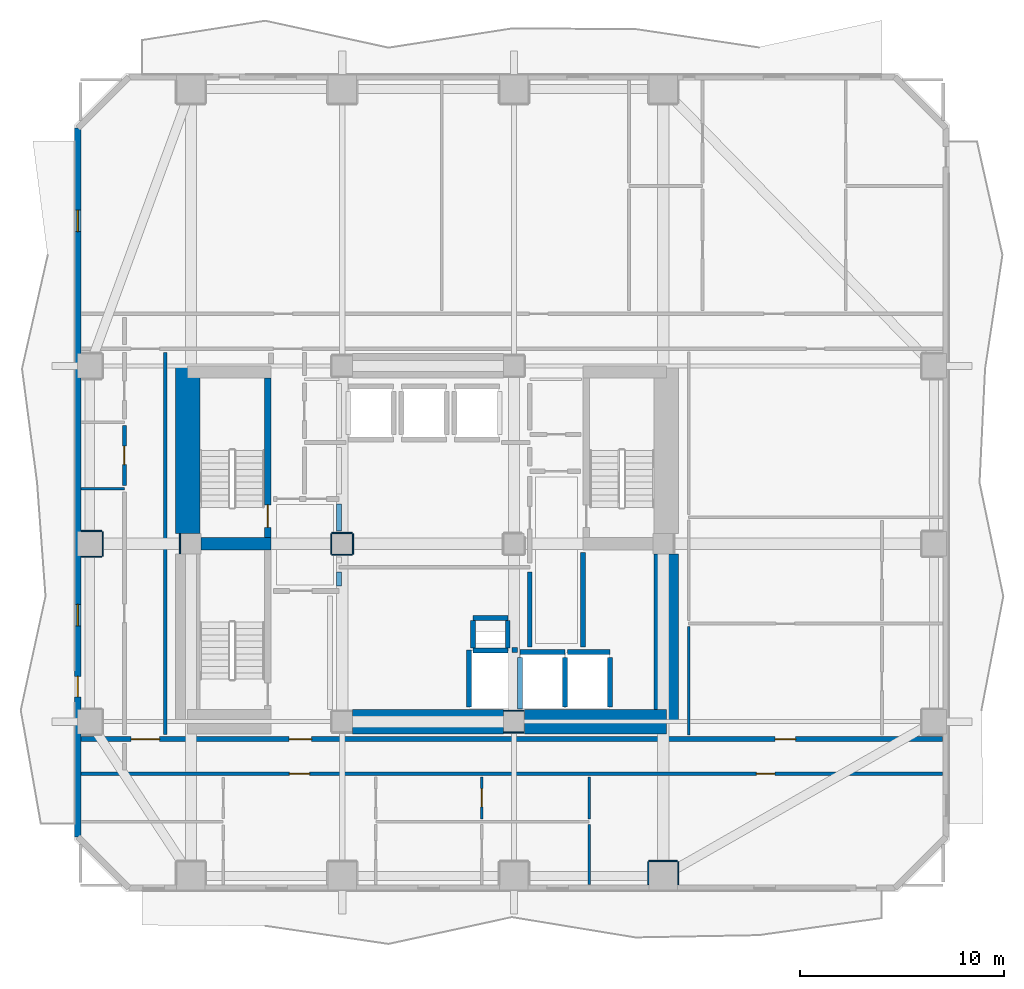
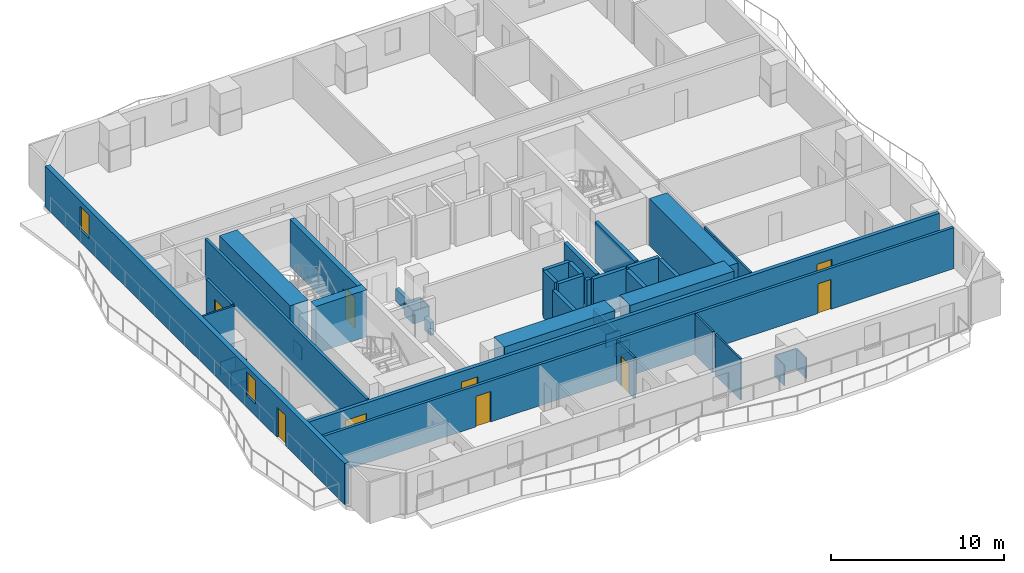
# One storey, part 3 of 10: 44 walls, 9 doors, 2 windows, 11 openings.
"""IFC4 building model written with IfcOpenShell, lengths in metres."""

from ifc_helpers import new_model, si_unit, direction, frame, frame_2d, origin, place, context, subcontext, project, spatial, rectangle, extrude, material, layer, layer_set, type_object, element, fill, save


model = new_model("IFC4")

# Units and contexts
model_context = context("Model", 3, precision=1e-05, world=origin(), true_north=direction((0.0, 1.0)))
body_context = subcontext(model_context, "Body", "Model", "MODEL_VIEW")
ifc_project = project(units=[si_unit("LENGTHUNIT", "METRE"), si_unit("AREAUNIT", "SQUARE_METRE"), si_unit("VOLUMEUNIT", "CUBIC_METRE"), si_unit("PLANEANGLEUNIT", "RADIAN"), si_unit("MASSUNIT", "GRAM", prefix="KILO")], contexts=[model_context])

# Site, building, storey
site_placement = place(None, origin())
site = spatial("IfcSite", under=ifc_project, at=site_placement, CompositionType="ELEMENT")
building_placement = place(site_placement, origin())
building = spatial("IfcBuilding", under=site, at=building_placement, Name="Solanera Arch Residences", CompositionType="ELEMENT")
storey_placement = place(building_placement, frame((0.0, 0.0, 78.43994140625)))
storey = spatial("IfcBuildingStorey", under=building, at=storey_placement, Name="L22", CompositionType="ELEMENT", Elevation=78.43994140625)

# Walls
ifc_material_1 = material(Name="Fire-Rated Gypsum Stud Partition", Category="gypsum")
ifc_layer_1 = layer(ifc_material_1, 0.06005859375)
ifc_layer_set_1 = layer_set([ifc_layer_1], Name="Fire-Rated Gypsum Stud Partition")
wall_type_1 = type_object("IfcWallType", Name="Column Acoustic Furring Wall 60", PredefinedType="PARTITIONING", material=ifc_layer_set_1)
for number, where, z_axis, x_axis, name in (
    (1, (28.7099609375, 21.468017578125, 0.0), (0.0, 0.0, 1.0), (1.0, 0.0, 0.0), "L22 Column Furring 2S"),
    (2, (28.7099609375, 22.531982421875, 0.0), (0.0, 0.0, 1.0), (1.0, 0.0, 0.0), "L22 Column Furring 2N"),
    (3, (12.867919921875, 30.2099609375, 0.0), (0.0, 0.0, 1.0), (0.0, 1.0, 0.0), "L22 Column Furring 5W"),
):
    element("IfcWall", number, at=place(storey_placement, frame(where, z_axis=z_axis, x_axis=x_axis)), inside=storey, type_object=wall_type_1, Name=name, PredefinedType="PARTITIONING", context=body_context, shape_type="SweptSolid", body=[
        extrude(rectangle(XDim=0.97998046875, YDim=0.06005859375, at=frame_2d((0.489990234375, 0.0))), origin(), (0.0, 0.0, 1.0), 0.905029296875),
    ])
for number, where, z_axis, x_axis, name in (
    (4, (20.300048828125, 30.16796875, 0.0), (0.0, 0.0, 1.0), (1.0, 0.0, 0.0), "L22 Column Furring 7S"),
    (5, (20.300048828125, 31.23193359375, 0.0), (0.0, 0.0, 1.0), (1.0, 0.0, 0.0), "L22 Column Furring 7N"),
    (6, (20.26806640625, 30.199951171875, 0.0), (0.0, 0.0, 1.0), (0.0, 1.0, 0.0), "L22 Column Furring 7W"),
    (7, (21.33203125, 30.199951171875, 0.0), (0.0, 0.0, 1.0), (0.0, 1.0, 0.0), "L22 Column Furring 7E"),
):
    element("IfcWall", number, at=place(storey_placement, frame(where, z_axis=z_axis, x_axis=x_axis)), inside=storey, type_object=wall_type_1, Name=name, PredefinedType="PARTITIONING", context=body_context, shape_type="SweptSolid", body=[
        extrude(rectangle(XDim=1.0, YDim=0.06005859375, at=frame_2d((0.5, 0.0))), origin(), (0.0, 0.0, 1.0), 0.905029296875),
    ])
wall_1_placement = place(storey_placement, frame((35.800048828125, 15.181884765625, 0.0), z_axis=(0.0, 0.0, 1.0), x_axis=(1.0, 0.0, 0.0)))
element("IfcWall", 8, at=wall_1_placement, inside=storey, type_object=wall_type_1, Name="L22 Column Furring 15N", PredefinedType="PARTITIONING", context=body_context, shape_type="SweptSolid", body=[
    extrude(rectangle(XDim=1.39990234375, YDim=0.06005859375, at=frame_2d((0.699951171875, 0.0))), origin(), (0.0, 0.0, 1.0), 1.449951171875),
])
for number, where, z_axis, x_axis, name in (
    (9, (35.76806640625, 14.030029296875, 0.0), (0.0, 0.0, 1.0), (0.0, 1.0, 0.0), "L22 Column Furring 15W"),
    (10, (37.23193359375, 14.030029296875, 0.0), (0.0, 0.0, 1.0), (0.0, 1.0, 0.0), "L22 Column Furring 15E"),
):
    element("IfcWall", number, at=place(storey_placement, frame(where, z_axis=z_axis, x_axis=x_axis)), inside=storey, type_object=wall_type_1, Name=name, PredefinedType="PARTITIONING", context=body_context, shape_type="SweptSolid", body=[
        extrude(rectangle(XDim=1.119873046875, YDim=0.06005859375, at=frame_2d((0.56005859375, 0.0))), origin(), (0.0, 0.0, 1.0), 1.449951171875),
    ])
for number, where, z_axis, x_axis, name in (
    (11, (8.030029296875, 30.068115234375, 0.0), (0.0, 0.0, 1.0), (1.0, 0.0, 0.0), "L22 Column Furring 19S"),
    (12, (8.030029296875, 31.33203125, 0.0), (0.0, 0.0, 1.0), (1.0, 0.0, 0.0), "L22 Column Furring 19N"),
):
    element("IfcWall", number, at=place(storey_placement, frame(where, z_axis=z_axis, x_axis=x_axis)), inside=storey, type_object=wall_type_1, Name=name, PredefinedType="PARTITIONING", context=body_context, shape_type="SweptSolid", body=[
        extrude(rectangle(XDim=1.02001953125, YDim=0.06005859375, at=frame_2d((0.510009765625, 0.0))), origin(), (0.0, 0.0, 1.0), 0.905029296875),
    ])
wall_2_placement = place(storey_placement, frame((9.08203125, 30.10009765625, 0.0), z_axis=(0.0, 0.0, 1.0), x_axis=(0.0, 1.0, 0.0)))
element("IfcWall", 13, at=wall_2_placement, inside=storey, type_object=wall_type_1, Name="L22 Column Furring 19E", PredefinedType="PARTITIONING", context=body_context, shape_type="SweptSolid", body=[
    extrude(rectangle(XDim=1.199951171875, YDim=0.06005859375, at=frame_2d((0.60009765625, 0.0))), origin(), (0.0, 0.0, 1.0), 1.449951171875),
])
ifc_material_2 = material(Name="Concrete C55/67 (f'c = 60 MPa)", Category="concrete")
ifc_layer_2 = layer(ifc_material_2, 1.199951171875)
ifc_layer_set_2 = layer_set([ifc_layer_2], Name="Concrete C55/67 (f'c = 60 MPa)")
wall_type_2 = type_object("IfcWallType", Name="Core Shear Wall CW-1200", PredefinedType="SHEAR", material=ifc_layer_set_2)
wall_3_placement = place(storey_placement, frame((13.239990234375, 31.205078125, 0.0), z_axis=(0.0, 0.0, 1.0), x_axis=(0.0, 1.0, 0.0)))
element("IfcWall", 14, at=wall_3_placement, inside=storey, type_object=wall_type_2, Name="L22 West Core North Shear Wall", PredefinedType="SHEAR", context=body_context, shape_type="SweptSolid", body=[
    extrude(rectangle(XDim=8.19482421875, YDim=1.199951171875, at=frame_2d((4.097412109375, 0.0))), origin(), (0.0, 0.0, 1.0), 3.320068359375),
])
wall_4_placement = place(storey_placement, frame((36.659912109375, 22.0, 0.0), z_axis=(0.0, 0.0, 1.0), x_axis=(0.0, 1.0, 0.0)))
element("IfcWall", 15, at=wall_4_placement, inside=storey, type_object=wall_type_2, Name="L22 East Core South Shear Wall", PredefinedType="SHEAR", context=body_context, shape_type="SweptSolid", body=[
    extrude(rectangle(XDim=8.195068359375, YDim=1.199951171875, at=frame_2d((4.09765625, 0.0))), origin(), (0.0, 0.0, 1.0), 3.320068359375),
])
wall_5_placement = place(storey_placement, frame((29.705078125, 22.0, 0.0), z_axis=(0.0, 0.0, 1.0), x_axis=(1.0, 0.0, 0.0)))
element("IfcWall", 16, at=wall_5_placement, inside=storey, type_object=wall_type_2, Name="L22 South-East Core Shear Wall", PredefinedType="SHEAR", context=body_context, shape_type="SweptSolid", body=[
    extrude(rectangle(XDim=6.954833984375, YDim=1.199951171875, at=frame_2d((3.4775390625, 0.0))), origin(), (0.0, 0.0, 1.0), 3.320068359375),
])
wall_6_placement = place(storey_placement, frame((21.304931640625, 22.0, 0.0), z_axis=(0.0, 0.0, 1.0), x_axis=(1.0, 0.0, 0.0)))
element("IfcWall", 17, at=wall_6_placement, inside=storey, type_object=wall_type_2, Name="L22 Central South Core Shear Wall", PredefinedType="SHEAR", context=body_context, shape_type="SweptSolid", body=[
    extrude(rectangle(XDim=7.39013671875, YDim=1.199951171875, at=frame_2d((3.695068359375, 0.0))), origin(), (0.0, 0.0, 1.0), 3.320068359375),
])

# Wall, opening, door
ifc_material_3 = material(Name="Concrete C40/50 (f'c = 45 MPa)", Category="concrete")
ifc_layer_3 = layer(ifc_material_3, 0.320068359375)
ifc_layer_set_3 = layer_set([ifc_layer_3], Name="Concrete C40/50 (f'c = 45 MPa)")
wall_type_3 = type_object("IfcWallType", Name="Core Shear Wall CW-320", PredefinedType="SHEAR", material=ifc_layer_set_3)
wall_7_placement = place(storey_placement, frame((17.159912109375, 31.0, 0.0), z_axis=(0.0, 0.0, 1.0), x_axis=(0.0, 1.0, 0.0)))
wall_7 = element("IfcWall", 18, at=wall_7_placement, inside=storey, type_object=wall_type_3, Name="L22 Stair ST-T1 East Shear Wall", PredefinedType="SHEAR", context=body_context, shape_type="SweptSolid", body=[
    extrude(rectangle(XDim=7.800048828125, YDim=0.320068359375, at=frame_2d((3.89990234375, 0.0))), origin(), (0.0, 0.0, 1.0), 3.320068359375),
])
opening_1_placement = place(wall_7_placement, frame((0.510009765625, 0.0, 0.0)))
opening_1 = element("IfcOpeningElement", 19, at=opening_1_placement, cuts=wall_7, Name="Opening DF-01", PredefinedType="OPENING", context=body_context, shape_type="SweptSolid", body=[
    extrude(rectangle(XDim=1.10009765625, YDim=2.14990234375, at=frame_2d((0.550048828125, 1.074951171875))), frame((0.0, 0.169921875, 0.0), z_axis=(0.0, -1.0, 0.0), x_axis=(1.0, 0.0, 0.0)), (0.0, 0.0, 1.0), 0.3401),
])
ifc_material_4 = material(Name="Fire-Rated Architectural Hardwood", Category="wood")
door_type_1 = type_object("IfcDoorType", Name="Stair Exit Fire Door DF-01", OperationType="NOTDEFINED", PredefinedType="DOOR", material=ifc_material_4)
door_1_placement = place(opening_1_placement, origin())
door_1 = element("IfcDoor", 20, at=door_1_placement, inside=storey, type_object=door_type_1, Name="DR-L22-STAIR-ST-T1", OperationType="SINGLE_SWING_LEFT", OverallHeight=2.14990234375, OverallWidth=1.10009765625, PredefinedType="DOOR", context=body_context, shape_type="SweptSolid", body=[
    extrude(rectangle(XDim=1.10009765625, YDim=2.14990234375, at=frame_2d((0.550048828125, 1.074951171875))), frame((0.0, 0.02490234375, 0.0), z_axis=(0.0, -1.0, 0.0), x_axis=(1.0, 0.0, 0.0)), (0.0, 0.0, 1.0), 0.050048828125),
])
fill(opening_1, door_1)

# Wall
ifc_material_5 = material(Name="Concrete C40/50 (f'c = 45 MPa)", Category="concrete")
ifc_layer_4 = layer(ifc_material_5, 0.60009765625)
ifc_layer_set_4 = layer_set([ifc_layer_4], Name="Concrete C40/50 (f'c = 45 MPa)")
wall_type_4 = type_object("IfcWallType", Name="Core Shear Wall CW-600", PredefinedType="SHEAR", material=ifc_layer_set_4)
wall_8_placement = place(storey_placement, frame((13.905029296875, 30.699951171875, 0.0), z_axis=(0.0, 0.0, 1.0), x_axis=(1.0, 0.0, 0.0)))
element("IfcWall", 21, at=wall_8_placement, inside=storey, type_object=wall_type_4, Name="L22 West Stair Divider Shear Wall", PredefinedType="SHEAR", context=body_context, shape_type="SweptSolid", body=[
    extrude(rectangle(XDim=3.4150390625, YDim=0.60009765625, at=frame_2d((1.70751953125, 0.0))), origin(), (0.0, 0.0, 1.0), 3.320068359375),
])

# Wall, openings, doors
ifc_material_6 = material(Name="Autoclaved Aerated Concrete Blockwork", Category="masonry")
ifc_layer_5 = layer(ifc_material_6, 0.179931640625)
ifc_layer_set_5 = layer_set([ifc_layer_5], Name="Autoclaved Aerated Concrete Blockwork")
wall_type_5 = type_object("IfcWallType", Name="Corridor Fire Partition 180", PredefinedType="PARTITIONING", material=ifc_layer_set_5)
wall_9_placement = place(storey_placement, frame((8.027099609375, 19.449951171875, 0.0), z_axis=(0.0, 0.0, 1.0), x_axis=(1.0, 0.0, 0.0)))
wall_9 = element("IfcWall", 22, at=wall_9_placement, inside=storey, type_object=wall_type_5, Name="L22 Interior Partition H7", PredefinedType="PARTITIONING", context=body_context, shape_type="SweptSolid", body=[
    extrude(rectangle(XDim=42.14599609375, YDim=0.179931640625, at=frame_2d((21.072998046875, 0.0))), origin(), (0.0, 0.0, 1.0), 2.900146484375),
])
opening_2_placement = place(wall_9_placement, frame((10.18505859375, 0.0, 0.0)))
opening_2 = element("IfcOpeningElement", 23, at=opening_2_placement, cuts=wall_9, Name="Opening DI-01", PredefinedType="OPENING", context=body_context, shape_type="SweptSolid", body=[
    extrude(rectangle(XDim=1.0, YDim=2.14990234375, at=frame_2d((0.5, 1.074951171875))), frame((0.0, 0.10009765625, 0.0), z_axis=(0.0, -1.0, 0.0), x_axis=(1.0, 0.0, 0.0)), (0.0, 0.0, 1.0), 0.1999),
])
opening_3_placement = place(wall_9_placement, frame((33.0380859375, 0.0, 0.0)))
opening_3 = element("IfcOpeningElement", 24, at=opening_3_placement, cuts=wall_9, Name="Opening DI-02", PredefinedType="OPENING", context=body_context, shape_type="SweptSolid", body=[
    extrude(rectangle(XDim=0.89990234375, YDim=2.10009765625, at=frame_2d((0.449951171875, 1.050048828125))), frame((0.0, 0.10009765625, 0.0), z_axis=(0.0, -1.0, 0.0), x_axis=(1.0, 0.0, 0.0)), (0.0, 0.0, 1.0), 0.1999),
])
ifc_material_7 = material(Name="Fire-Rated Architectural Hardwood", Category="wood")
door_type_2 = type_object("IfcDoorType", Name="Suite Room Swing Door DI-02", OperationType="NOTDEFINED", PredefinedType="DOOR", material=ifc_material_7)
door_2_placement = place(opening_3_placement, origin())
door_2 = element("IfcDoor", 25, at=door_2_placement, inside=storey, type_object=door_type_2, Name="DR-L22-IN-022", OperationType="SINGLE_SWING_RIGHT", OverallHeight=2.10009765625, OverallWidth=0.89990234375, PredefinedType="DOOR", context=body_context, shape_type="SweptSolid", body=[
    extrude(rectangle(XDim=0.89990234375, YDim=2.10009765625, at=frame_2d((0.449951171875, 1.050048828125))), frame((0.0, 0.02490234375, 0.0), z_axis=(0.0, -1.0, 0.0), x_axis=(1.0, 0.0, 0.0)), (0.0, 0.0, 1.0), 0.050048828125),
])
fill(opening_3, door_2)
ifc_material_8 = material(Name="Fire-Rated Architectural Hardwood", Category="wood")
door_type_3 = type_object("IfcDoorType", Name="Unit Entrance Fire Door DI-01", OperationType="NOTDEFINED", PredefinedType="DOOR", material=ifc_material_8)
door_3_placement = place(opening_2_placement, origin())
door_3 = element("IfcDoor", 26, at=door_3_placement, inside=storey, type_object=door_type_3, Name="DR-L22-IN-015", OperationType="SINGLE_SWING_LEFT", OverallHeight=2.14990234375, OverallWidth=1.0, PredefinedType="DOOR", context=body_context, shape_type="SweptSolid", body=[
    extrude(rectangle(XDim=1.0, YDim=2.14990234375, at=frame_2d((0.5, 1.074951171875))), frame((0.0, 0.02490234375, 0.0), z_axis=(0.0, -1.0, 0.0), x_axis=(1.0, 0.0, 0.0)), (0.0, 0.0, 1.0), 0.050048828125),
])
fill(opening_2, door_3)

# Wall, opening, door
wall_10_placement = place(storey_placement, frame((10.14990234375, 33.55810546875, 0.0), z_axis=(0.0, 0.0, 1.0), x_axis=(0.0, 1.0, 0.0)))
wall_10 = element("IfcWall", 27, at=wall_10_placement, inside=storey, type_object=wall_type_5, Name="L22 Interior Partition V7 3", PredefinedType="PARTITIONING", context=body_context, shape_type="SweptSolid", body=[
    extrude(rectangle(XDim=2.923828125, YDim=0.179931640625, at=frame_2d((1.4619140625, 0.0))), origin(), (0.0, 0.0, 1.0), 2.900146484375),
])
opening_4_placement = place(wall_10_placement, frame((1.01708984375, 0.0, 0.0)))
opening_4 = element("IfcOpeningElement", 28, at=opening_4_placement, cuts=wall_10, Name="Opening DI-02", PredefinedType="OPENING", context=body_context, shape_type="SweptSolid", body=[
    extrude(rectangle(XDim=0.89990234375, YDim=2.10009765625, at=frame_2d((0.449951171875, 1.050048828125))), frame((0.0, 0.10009765625, 0.0), z_axis=(0.0, -1.0, 0.0), x_axis=(1.0, 0.0, 0.0)), (0.0, 0.0, 1.0), 0.1999),
])
door_4_placement = place(opening_4_placement, origin())
door_4 = element("IfcDoor", 29, at=door_4_placement, inside=storey, type_object=door_type_2, Name="DR-L22-IN-031", OperationType="SINGLE_SWING_LEFT", OverallHeight=2.10009765625, OverallWidth=0.89990234375, PredefinedType="DOOR", context=body_context, shape_type="SweptSolid", body=[
    extrude(rectangle(XDim=0.89990234375, YDim=2.10009765625, at=frame_2d((0.449951171875, 1.050048828125))), frame((0.0, 0.02490234375, 0.0), z_axis=(0.0, -1.0, 0.0), x_axis=(1.0, 0.0, 0.0)), (0.0, 0.0, 1.0), 0.050048828125),
])
fill(opening_4, door_4)

# Wall
wall_11_placement = place(storey_placement, frame((12.14990234375, 21.367919921875, 0.0), z_axis=(0.0, 0.0, 1.0), x_axis=(0.0, 1.0, 0.0)))
element("IfcWall", 30, at=wall_11_placement, inside=storey, type_object=wall_type_5, Name="L22 Interior Partition V8", PredefinedType="PARTITIONING", context=body_context, shape_type="SweptSolid", body=[
    extrude(rectangle(XDim=18.694091796875, YDim=0.179931640625, at=frame_2d((9.34716796875, 0.0))), origin(), (0.0, 0.0, 1.0), 2.900146484375),
])

# Wall, openings, door, windows
ifc_material_9 = material(Name="Precast Concrete C35/45", Category="concrete")
ifc_layer_6 = layer(ifc_material_9, 0.300048828125)
ifc_layer_set_6 = layer_set([ifc_layer_6], Name="Precast Concrete C35/45")
wall_type_6 = type_object("IfcWallType", Name="Exterior Wall Precast Masonry-Frame 300", PredefinedType="STANDARD", material=ifc_layer_set_6)
wall_12_placement = place(storey_placement, frame((7.864990234375, 16.364990234375, 0.0), z_axis=(0.0, 0.0, 1.0), x_axis=(0.0, 1.0, 0.0)))
wall_12 = element("IfcWall", 31, at=wall_12_placement, inside=storey, type_object=wall_type_6, Name="L22 Tower Exterior Precast Masonry-Frame Wall W", PredefinedType="STANDARD", context=body_context, shape_type="SweptSolid", body=[
    extrude(rectangle(XDim=34.669921875, YDim=0.300048828125, at=frame_2d((17.3349609375, 0.0))), origin(), (0.0, 0.0, 1.0), 2.900146484375),
])
opening_5_placement = place(wall_12_placement, frame((6.85400390625, 0.0, 0.0)))
opening_5 = element("IfcOpeningElement", 32, at=opening_5_placement, cuts=wall_12, Name="Opening DB-01", PredefinedType="OPENING", context=body_context, shape_type="SweptSolid", body=[
    extrude(rectangle(XDim=1.0, YDim=2.14990234375, at=frame_2d((0.5, 1.074951171875))), frame((0.0, 0.159912109375, 0.0), z_axis=(0.0, -1.0, 0.0), x_axis=(1.0, 0.0, 0.0)), (0.0, 0.0, 1.0), 0.32),
])
opening_6_placement = place(wall_12_placement, frame((29.60791015625, 0.0, 0.85009765625)))
opening_6 = element("IfcOpeningElement", 33, at=opening_6_placement, cuts=wall_12, Name="Opening W-07", PredefinedType="OPENING", context=body_context, shape_type="SweptSolid", body=[
    extrude(rectangle(XDim=1.050048828125, YDim=1.64990234375, at=frame_2d((0.52490234375, 0.824951171875))), frame((0.0, 0.159912109375, 0.0), z_axis=(0.0, -1.0, 0.0), x_axis=(1.0, 0.0, 0.0)), (0.0, 0.0, 1.0), 0.32),
])
opening_7_placement = place(wall_12_placement, frame((10.324951171875, 0.0, 0.85009765625)))
opening_7 = element("IfcOpeningElement", 34, at=opening_7_placement, cuts=wall_12, Name="Opening W-07", PredefinedType="OPENING", context=body_context, shape_type="SweptSolid", body=[
    extrude(rectangle(XDim=1.050048828125, YDim=1.64990234375, at=frame_2d((0.52490234375, 0.824951171875))), frame((0.0, 0.159912109375, 0.0), z_axis=(0.0, -1.0, 0.0), x_axis=(1.0, 0.0, 0.0)), (0.0, 0.0, 1.0), 0.32),
])
ifc_material_10 = material(Name="Anodised Aluminium Alloy 6063-T6", Category="aluminium")
door_type_4 = type_object("IfcDoorType", Name="Glazed Balcony Swing Door DB-01", OperationType="NOTDEFINED", PredefinedType="DOOR", material=ifc_material_10)
door_5_placement = place(opening_5_placement, origin())
door_5 = element("IfcDoor", 35, at=door_5_placement, inside=storey, type_object=door_type_4, Name="DR-L22-OUT-04", OperationType="SINGLE_SWING_LEFT", OverallHeight=2.14990234375, OverallWidth=1.0, PredefinedType="DOOR", context=body_context, shape_type="SweptSolid", body=[
    extrude(rectangle(XDim=1.0, YDim=2.14990234375, at=frame_2d((0.5, 1.074951171875))), frame((0.0, 0.02490234375, 0.0), z_axis=(0.0, -1.0, 0.0), x_axis=(1.0, 0.0, 0.0)), (0.0, 0.0, 1.0), 0.050048828125),
])
fill(opening_5, door_5)
ifc_material_11 = material(Name="Double Glazed Low-E Laminated Glass", Category="glass")
window_type = type_object("IfcWindowType", Name="Punched Window W-07", PartitioningType="SINGLE_PANEL", PredefinedType="WINDOW", material=ifc_material_11)
window_1_placement = place(opening_6_placement, origin())
window_1 = element("IfcWindow", 36, at=window_1_placement, inside=storey, type_object=window_type, Name="L22 AMN-MTG1 Punched Window", OverallHeight=1.64990234375, OverallWidth=1.050048828125, PartitioningType="SINGLE_PANEL", PredefinedType="WINDOW", context=body_context, shape_type="SweptSolid", body=[
    extrude(rectangle(XDim=1.050048828125, YDim=1.64990234375, at=frame_2d((0.52490234375, 0.824951171875))), frame((0.0, 0.030029296875, 0.0), z_axis=(0.0, -1.0, 0.0), x_axis=(1.0, 0.0, 0.0)), (0.0, 0.0, 1.0), 0.06005859375),
])
fill(opening_6, window_1)
window_2_placement = place(opening_7_placement, origin())
window_2 = element("IfcWindow", 37, at=window_2_placement, inside=storey, type_object=window_type, Name="L22 AMN-FIT Punched Window", OverallHeight=1.64990234375, OverallWidth=1.050048828125, PartitioningType="SINGLE_PANEL", PredefinedType="WINDOW", context=body_context, shape_type="SweptSolid", body=[
    extrude(rectangle(XDim=1.050048828125, YDim=1.64990234375, at=frame_2d((0.52490234375, 0.824951171875))), frame((0.0, 0.030029296875, 0.0), z_axis=(0.0, -1.0, 0.0), x_axis=(1.0, 0.0, 0.0)), (0.0, 0.0, 1.0), 0.06005859375),
])
fill(opening_7, window_2)

# Walls
ifc_material_12 = material(Name="Concrete C40/50 (f'c = 45 MPa)", Category="concrete")
ifc_layer_7 = layer(ifc_material_12, 0.239990234375)
ifc_layer_set_7 = layer_set([ifc_layer_7], Name="Concrete C40/50 (f'c = 45 MPa)")
wall_type_7 = type_object("IfcWallType", Name="Ramp Bearing Shear Wall RW-240", PredefinedType="SHEAR", material=ifc_layer_set_7)
for number, where, z_axis, x_axis, name in (
    (38, (27.199951171875, 25.47998046875, 0.0), (0.0, 0.0, 1.0), (1.0, 0.0, 0.0), "L22 Core MEP Riser South Shaft Wall"),
    (39, (27.199951171875, 27.080078125, 0.0), (0.0, 0.0, 1.0), (1.0, 0.0, 0.0), "L22 Core MEP Riser North Shaft Wall"),
):
    element("IfcWall", number, at=place(storey_placement, frame(where, z_axis=z_axis, x_axis=x_axis)), inside=storey, type_object=wall_type_7, Name=name, PredefinedType="SHEAR", context=body_context, shape_type="SweptSolid", body=[
        extrude(rectangle(XDim=1.699951171875, YDim=0.239990234375, at=frame_2d((0.85009765625, 0.0))), origin(), (0.0, 0.0, 1.0), 3.320068359375),
    ])
for number, where, z_axis, x_axis, name in (
    (40, (27.199951171875, 25.60009765625, 0.0), (0.0, 0.0, 1.0), (0.0, 1.0, 0.0), "L22 Core MEP Riser West Shaft Wall"),
    (41, (28.89990234375, 25.60009765625, 0.0), (0.0, 0.0, 1.0), (0.0, 1.0, 0.0), "L22 Core MEP Riser East Shaft Wall"),
):
    element("IfcWall", number, at=place(storey_placement, frame(where, z_axis=z_axis, x_axis=x_axis)), inside=storey, type_object=wall_type_7, Name=name, PredefinedType="SHEAR", context=body_context, shape_type="SweptSolid", body=[
        extrude(rectangle(XDim=1.35986328125, YDim=0.239990234375, at=frame_2d((0.679931640625, 0.0))), origin(), (0.0, 0.0, 1.0), 3.320068359375),
    ])
ifc_material_13 = material(Name="Autoclaved Aerated Concrete Blockwork", Category="masonry")
ifc_layer_8 = layer(ifc_material_13, 0.239990234375)
ifc_layer_set_8 = layer_set([ifc_layer_8], Name="Autoclaved Aerated Concrete Blockwork")
wall_type_8 = type_object("IfcWallType", Name="Shaft Wall Fire-Rated 240", PredefinedType="PARTITIONING", material=ifc_layer_set_8)
wall_13_placement = place(storey_placement, frame((29.5, 25.39990234375, 0.0), z_axis=(0.0, 0.0, 1.0), x_axis=(1.0, 0.0, 0.0)))
element("IfcWall", 42, at=wall_13_placement, inside=storey, type_object=wall_type_8, Name="L22 Lift FFL-1 Hoistway Wall N", PredefinedType="PARTITIONING", context=body_context, shape_type="SweptSolid", body=[
    extrude(rectangle(XDim=2.199951171875, YDim=0.239990234375, at=frame_2d((1.10009765625, 0.0))), origin(), (0.0, 0.0, 1.0), 2.900146484375),
])
wall_14_placement = place(storey_placement, frame((29.5, 22.632080078125, 0.0), z_axis=(0.0, 0.0, 1.0), x_axis=(0.0, 1.0, 0.0)))
element("IfcWall", 43, at=wall_14_placement, inside=storey, type_object=wall_type_8, Name="L22 Lift FFL-1 Hoistway Wall W", PredefinedType="PARTITIONING", context=body_context, shape_type="SweptSolid", body=[
    extrude(rectangle(XDim=2.52001953125, YDim=0.239990234375, at=frame_2d((1.260009765625, 0.0))), origin(), (0.0, 0.0, 1.0), 0.905029296875),
])
wall_15_placement = place(storey_placement, frame((31.699951171875, 22.72998046875, 0.0), z_axis=(0.0, 0.0, 1.0), x_axis=(0.0, 1.0, 0.0)))
element("IfcWall", 44, at=wall_15_placement, inside=storey, type_object=wall_type_8, Name="L22 Lift FFL-1 Hoistway Wall E", PredefinedType="PARTITIONING", context=body_context, shape_type="SweptSolid", body=[
    extrude(rectangle(XDim=2.422119140625, YDim=0.239990234375, at=frame_2d((1.2109375, 0.0))), origin(), (0.0, 0.0, 1.0), 2.900146484375),
])
wall_16_placement = place(storey_placement, frame((31.827880859375, 25.39990234375, 0.0), z_axis=(0.0, 0.0, 1.0), x_axis=(1.0, 0.0, 0.0)))
element("IfcWall", 45, at=wall_16_placement, inside=storey, type_object=wall_type_8, Name="L22 Lift FFL-2 Hoistway Wall N", PredefinedType="PARTITIONING", context=body_context, shape_type="SweptSolid", body=[
    extrude(rectangle(XDim=2.072021484375, YDim=0.239990234375, at=frame_2d((1.0361328125, 0.0))), origin(), (0.0, 0.0, 1.0), 2.900146484375),
])
wall_17_placement = place(storey_placement, frame((33.89990234375, 22.72998046875, 0.0), z_axis=(0.0, 0.0, 1.0), x_axis=(0.0, 1.0, 0.0)))
element("IfcWall", 46, at=wall_17_placement, inside=storey, type_object=wall_type_8, Name="L22 Lift FFL-2 Hoistway Wall E", PredefinedType="PARTITIONING", context=body_context, shape_type="SweptSolid", body=[
    extrude(rectangle(XDim=2.422119140625, YDim=0.239990234375, at=frame_2d((1.2109375, 0.0))), origin(), (0.0, 0.0, 1.0), 2.900146484375),
])
wall_18_placement = place(storey_placement, frame((29.10302734375, 25.5, 0.0), z_axis=(0.0, 0.0, 1.0), x_axis=(1.0, 0.0, 0.0)))
element("IfcWall", 47, at=wall_18_placement, inside=storey, type_object=wall_type_8, Name="L22 Lift SVL-1 Hoistway Wall N", PredefinedType="PARTITIONING", context=body_context, shape_type="SweptSolid", body=[
    extrude(rectangle(XDim=0.26904296875, YDim=0.239990234375, at=frame_2d((0.134521484375, 0.0))), origin(), (0.0, 0.0, 1.0), 2.900146484375),
])
wall_19_placement = place(storey_placement, frame((27.0, 22.72998046875, 0.0), z_axis=(0.0, 0.0, 1.0), x_axis=(0.0, 1.0, 0.0)))
element("IfcWall", 48, at=wall_19_placement, inside=storey, type_object=wall_type_8, Name="L22 Lift SVL-1 Hoistway Wall W", PredefinedType="PARTITIONING", context=body_context, shape_type="SweptSolid", body=[
    extrude(rectangle(XDim=2.76806640625, YDim=0.239990234375, at=frame_2d((1.384033203125, 0.0))), origin(), (0.0, 0.0, 1.0), 2.900146484375),
])

# Wall, openings, doors
wall_20_placement = place(storey_placement, frame((8.027099609375, 21.14990234375, 0.0), z_axis=(0.0, 0.0, 1.0), x_axis=(1.0, 0.0, 0.0)))
wall_20 = element("IfcWall", 49, at=wall_20_placement, inside=storey, type_object=wall_type_8, Name="L22 Interior Partition H1", PredefinedType="PARTITIONING", context=body_context, shape_type="SweptSolid", body=[
    extrude(rectangle(XDim=42.14599609375, YDim=0.239990234375, at=frame_2d((21.072998046875, 0.0))), origin(), (0.0, 0.0, 1.0), 2.900146484375),
])
opening_8_placement = place(wall_20_placement, frame((10.18310546875, 0.0, 0.0)))
opening_8 = element("IfcOpeningElement", 50, at=opening_8_placement, cuts=wall_20, Name="Opening DF-02", PredefinedType="OPENING", context=body_context, shape_type="SweptSolid", body=[
    extrude(rectangle(XDim=1.10009765625, YDim=2.14990234375, at=frame_2d((0.550048828125, 1.074951171875))), frame((0.0, 0.1298828125, 0.0), z_axis=(0.0, -1.0, 0.0), x_axis=(1.0, 0.0, 0.0)), (0.0, 0.0, 1.0), 0.26),
])
opening_9_placement = place(wall_20_placement, frame((2.447021484375, 0.0, 0.0)))
opening_9 = element("IfcOpeningElement", 51, at=opening_9_placement, cuts=wall_20, Name="Opening DF-03", PredefinedType="OPENING", context=body_context, shape_type="SweptSolid", body=[
    extrude(rectangle(XDim=1.39990234375, YDim=2.14990234375, at=frame_2d((0.699951171875, 1.074951171875))), frame((0.0, 0.1298828125, 0.0), z_axis=(0.0, -1.0, 0.0), x_axis=(1.0, 0.0, 0.0)), (0.0, 0.0, 1.0), 0.26),
])
opening_10_placement = place(wall_20_placement, frame((33.947998046875, 0.0, 0.0)))
opening_10 = element("IfcOpeningElement", 52, at=opening_10_placement, cuts=wall_20, Name="Opening DI-01", PredefinedType="OPENING", context=body_context, shape_type="SweptSolid", body=[
    extrude(rectangle(XDim=1.0, YDim=2.14990234375, at=frame_2d((0.5, 1.074951171875))), frame((0.0, 0.1298828125, 0.0), z_axis=(0.0, -1.0, 0.0), x_axis=(1.0, 0.0, 0.0)), (0.0, 0.0, 1.0), 0.26),
])
ifc_material_14 = material(Name="Fire-Rated Architectural Hardwood", Category="wood")
door_type_5 = type_object("IfcDoorType", Name="Corridor Smoke Door DF-03", OperationType="NOTDEFINED", PredefinedType="DOOR", material=ifc_material_14)
door_6_placement = place(opening_9_placement, origin())
door_6 = element("IfcDoor", 53, at=door_6_placement, inside=storey, type_object=door_type_5, Name="DR-L22-IN-010", OperationType="SINGLE_SWING_RIGHT", OverallHeight=2.14990234375, OverallWidth=1.39990234375, PredefinedType="DOOR", context=body_context, shape_type="SweptSolid", body=[
    extrude(rectangle(XDim=1.39990234375, YDim=2.14990234375, at=frame_2d((0.699951171875, 1.074951171875))), frame((0.0, 0.02490234375, 0.0), z_axis=(0.0, -1.0, 0.0), x_axis=(1.0, 0.0, 0.0)), (0.0, 0.0, 1.0), 0.050048828125),
])
fill(opening_9, door_6)
ifc_material_15 = material(Name="Fire-Rated Architectural Hardwood", Category="wood")
door_type_6 = type_object("IfcDoorType", Name="Firefighting Lobby Fire Door DF-02", OperationType="NOTDEFINED", PredefinedType="DOOR", material=ifc_material_15)
door_7_placement = place(opening_8_placement, origin())
door_7 = element("IfcDoor", 54, at=door_7_placement, inside=storey, type_object=door_type_6, Name="DR-L22-IN-008", OperationType="SINGLE_SWING_RIGHT", OverallHeight=2.14990234375, OverallWidth=1.10009765625, PredefinedType="DOOR", context=body_context, shape_type="SweptSolid", body=[
    extrude(rectangle(XDim=1.10009765625, YDim=2.14990234375, at=frame_2d((0.550048828125, 1.074951171875))), frame((0.0, 0.02490234375, 0.0), z_axis=(0.0, -1.0, 0.0), x_axis=(1.0, 0.0, 0.0)), (0.0, 0.0, 1.0), 0.050048828125),
])
fill(opening_8, door_7)
door_8_placement = place(opening_10_placement, origin())
door_8 = element("IfcDoor", 55, at=door_8_placement, inside=storey, type_object=door_type_3, Name="DR-L22-IN-033", OperationType="SINGLE_SWING_LEFT", OverallHeight=2.14990234375, OverallWidth=1.0, PredefinedType="DOOR", context=body_context, shape_type="SweptSolid", body=[
    extrude(rectangle(XDim=1.0, YDim=2.14990234375, at=frame_2d((0.5, 1.074951171875))), frame((0.0, 0.02490234375, 0.0), z_axis=(0.0, -1.0, 0.0), x_axis=(1.0, 0.0, 0.0)), (0.0, 0.0, 1.0), 0.050048828125),
])
fill(opening_10, door_8)

# Walls
wall_21_placement = place(storey_placement, frame((20.64990234375, 28.64794921875, 0.0), z_axis=(0.0, 0.0, 1.0), x_axis=(0.0, 1.0, 0.0)))
element("IfcWall", 56, at=wall_21_placement, inside=storey, type_object=wall_type_8, Name="L22 Interior Partition V3 1", PredefinedType="PARTITIONING", context=body_context, shape_type="SweptSolid", body=[
    extrude(rectangle(XDim=0.68408203125, YDim=0.239990234375, at=frame_2d((0.342041015625, 0.0))), origin(), (0.0, 0.0, 1.0), 0.905029296875),
])
wall_22_placement = place(storey_placement, frame((20.64990234375, 31.33203125, 0.0), z_axis=(0.0, 0.0, 1.0), x_axis=(0.0, 1.0, 0.0)))
element("IfcWall", 57, at=wall_22_placement, inside=storey, type_object=wall_type_8, Name="L22 Interior Partition V3 3", PredefinedType="PARTITIONING", context=body_context, shape_type="SweptSolid", body=[
    extrude(rectangle(XDim=1.320068359375, YDim=0.239990234375, at=frame_2d((0.66015625, 0.0))), origin(), (0.0, 0.0, 1.0), 0.905029296875),
])
wall_23_placement = place(storey_placement, frame((29.97509765625, 25.64794921875, 0.0), z_axis=(0.0, 0.0, 1.0), x_axis=(0.0, 1.0, 0.0)))
element("IfcWall", 58, at=wall_23_placement, inside=storey, type_object=wall_type_8, Name="L22 Interior Partition V4 1", PredefinedType="PARTITIONING", context=body_context, shape_type="SweptSolid", body=[
    extrude(rectangle(XDim=3.68408203125, YDim=0.239990234375, at=frame_2d((1.842041015625, 0.0))), origin(), (0.0, 0.0, 1.0), 2.900146484375),
])
wall_24_placement = place(storey_placement, frame((32.580078125, 25.64794921875, 0.0), z_axis=(0.0, 0.0, 1.0), x_axis=(0.0, 1.0, 0.0)))
element("IfcWall", 59, at=wall_24_placement, inside=storey, type_object=wall_type_8, Name="L22 Interior Partition V5", PredefinedType="PARTITIONING", context=body_context, shape_type="SweptSolid", body=[
    extrude(rectangle(XDim=4.6220703125, YDim=0.239990234375, at=frame_2d((2.31103515625, 0.0))), origin(), (0.0, 0.0, 1.0), 2.900146484375),
])
ifc_material_16 = material(Name="Fire-Rated Gypsum Stud Partition", Category="gypsum")
ifc_layer_9 = layer(ifc_material_16, 0.1201171875)
ifc_layer_set_9 = layer_set([ifc_layer_9], Name="Fire-Rated Gypsum Stud Partition")
wall_type_9 = type_object("IfcWallType", Name="Unit Drywall Partition 120", PredefinedType="PARTITIONING", material=ifc_layer_set_9)
wall_25_placement = place(storey_placement, frame((8.027099609375, 33.39990234375, 0.0), z_axis=(0.0, 0.0, 1.0), x_axis=(1.0, 0.0, 0.0)))
element("IfcWall", 60, at=wall_25_placement, inside=storey, type_object=wall_type_9, Name="L22 Interior Partition H22", PredefinedType="PARTITIONING", context=body_context, shape_type="SweptSolid", body=[
    extrude(rectangle(XDim=2.122802734375, YDim=0.1201171875, at=frame_2d((1.0615234375, 0.0))), origin(), (0.0, 0.0, 1.0), 2.900146484375),
])

# Wall, opening, door
wall_26_placement = place(storey_placement, frame((27.6201171875, 17.2451171875, 0.0), z_axis=(0.0, 0.0, 1.0), x_axis=(0.0, 1.0, 0.0)))
wall_26 = element("IfcWall", 61, at=wall_26_placement, inside=storey, type_object=wall_type_9, Name="L22 Interior Partition V19 2", PredefinedType="PARTITIONING", context=body_context, shape_type="SweptSolid", body=[
    extrude(rectangle(XDim=2.046875, YDim=0.1201171875, at=frame_2d((1.0234375, 0.0))), origin(), (0.0, 0.0, 1.0), 2.900146484375),
])
opening_11_placement = place(wall_26_placement, frame((0.5830078125, 0.0, 0.0)))
opening_11 = element("IfcOpeningElement", 62, at=opening_11_placement, cuts=wall_26, Name="Opening DI-02", PredefinedType="OPENING", context=body_context, shape_type="SweptSolid", body=[
    extrude(rectangle(XDim=0.89990234375, YDim=2.10009765625, at=frame_2d((0.449951171875, 1.050048828125))), frame((0.0, 0.070068359375, 0.0), z_axis=(0.0, -1.0, 0.0), x_axis=(1.0, 0.0, 0.0)), (0.0, 0.0, 1.0), 0.1401),
])
door_9_placement = place(opening_11_placement, origin())
door_9 = element("IfcDoor", 63, at=door_9_placement, inside=storey, type_object=door_type_2, Name="DR-L22-IN-019", OperationType="SINGLE_SWING_LEFT", OverallHeight=2.10009765625, OverallWidth=0.89990234375, PredefinedType="DOOR", context=body_context, shape_type="SweptSolid", body=[
    extrude(rectangle(XDim=0.89990234375, YDim=2.10009765625, at=frame_2d((0.449951171875, 1.050048828125))), frame((0.0, 0.02490234375, 0.0), z_axis=(0.0, -1.0, 0.0), x_axis=(1.0, 0.0, 0.0)), (0.0, 0.0, 1.0), 0.050048828125),
])
fill(opening_11, door_9)

# Walls
wall_27_placement = place(storey_placement, frame((32.87890625, 14.027099609375, 0.0), z_axis=(0.0, 0.0, 1.0), x_axis=(0.0, 1.0, 0.0)))
element("IfcWall", 64, at=wall_27_placement, inside=storey, type_object=wall_type_9, Name="L22 Interior Partition V20 1", PredefinedType="PARTITIONING", context=body_context, shape_type="SweptSolid", body=[
    extrude(rectangle(XDim=2.94189453125, YDim=0.1201171875, at=frame_2d((1.470947265625, 0.0))), origin(), (0.0, 0.0, 1.0), 2.900146484375),
])
wall_28_placement = place(storey_placement, frame((32.87890625, 17.2451171875, 0.0), z_axis=(0.0, 0.0, 1.0), x_axis=(0.0, 1.0, 0.0)))
element("IfcWall", 65, at=wall_28_placement, inside=storey, type_object=wall_type_9, Name="L22 Interior Partition V20 2", PredefinedType="PARTITIONING", context=body_context, shape_type="SweptSolid", body=[
    extrude(rectangle(XDim=2.046875, YDim=0.1201171875, at=frame_2d((1.0234375, 0.0))), origin(), (0.0, 0.0, 1.0), 2.900146484375),
])
wall_29_placement = place(storey_placement, frame((37.75, 21.337890625, 0.0), z_axis=(0.0, 0.0, 1.0), x_axis=(0.0, 1.0, 0.0)))
element("IfcWall", 66, at=wall_29_placement, inside=storey, type_object=wall_type_9, Name="L22 Interior Partition V21 1", PredefinedType="PARTITIONING", context=body_context, shape_type="SweptSolid", body=[
    extrude(rectangle(XDim=5.32421875, YDim=0.1201171875, at=frame_2d((2.662109375, 0.0))), origin(), (0.0, 0.0, 1.0), 2.900146484375),
])

save(model, "model.ifc")
